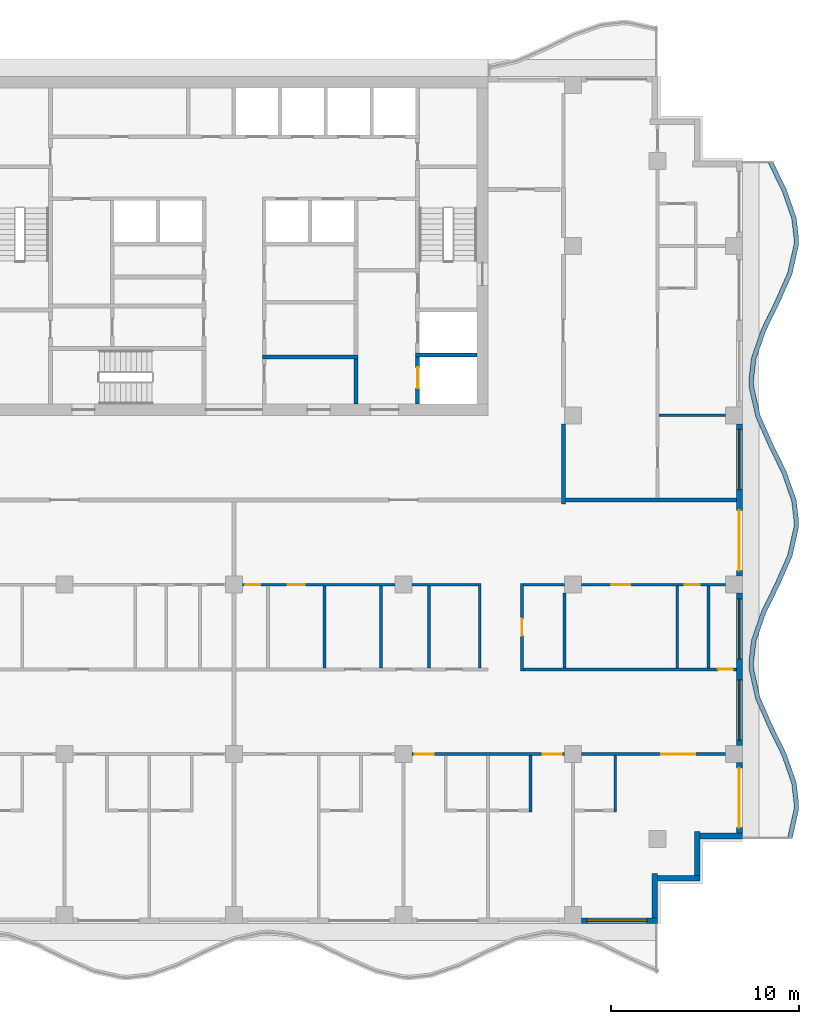
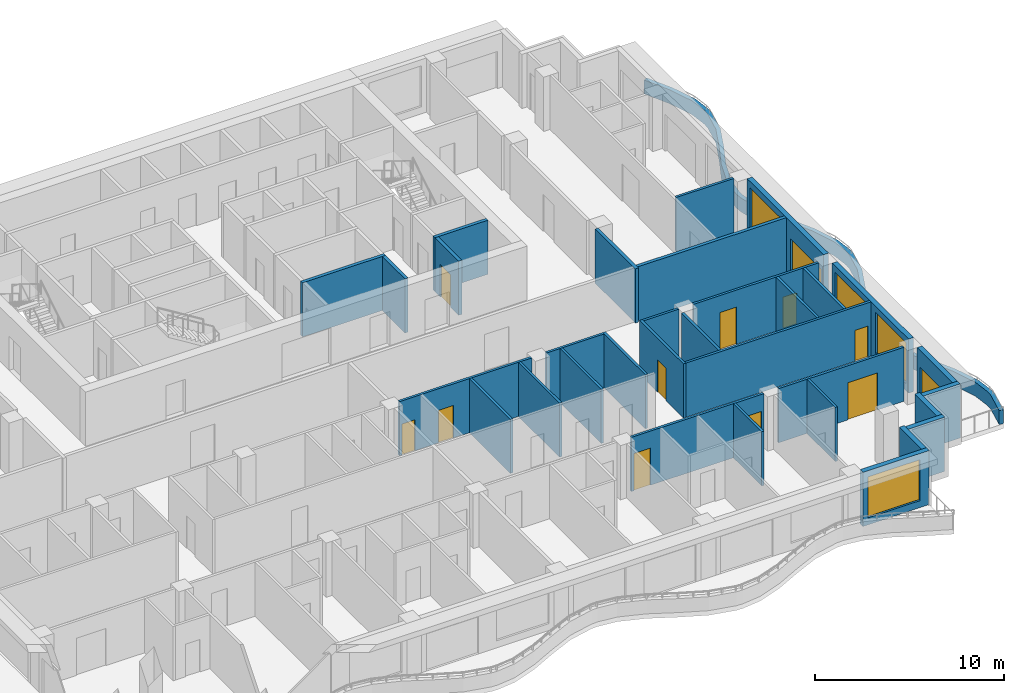
# One storey, part 4 of 11: 33 walls, 12 doors, 4 windows, 16 openings.
"""IFC4 building model written with IfcOpenShell, lengths in metres."""

from ifc_helpers import new_model, si_unit, direction, frame, frame_2d, origin, place, context, subcontext, project, spatial, polyline, rectangle, outline, extrude, material, layer, layer_set, type_object, element, fill, save


model = new_model("IFC4")

# Units and contexts
model_context = context("Model", 3, precision=1e-05, world=origin(), true_north=direction((0.0, 1.0)))
body_context = subcontext(model_context, "Body", "Model", "MODEL_VIEW")
ifc_project = project(units=[si_unit("LENGTHUNIT", "METRE"), si_unit("AREAUNIT", "SQUARE_METRE"), si_unit("VOLUMEUNIT", "CUBIC_METRE"), si_unit("PLANEANGLEUNIT", "RADIAN"), si_unit("MASSUNIT", "GRAM", prefix="KILO")], contexts=[model_context])

# Site, building, storey
site_placement = place(None, origin())
site = spatial("IfcSite", under=ifc_project, at=site_placement, CompositionType="ELEMENT")
building_placement = place(site_placement, origin())
building = spatial("IfcBuilding", under=site, at=building_placement, Name="Orbiselva Terraces", CompositionType="ELEMENT")
storey_placement = place(building_placement, frame((0.0, 0.0, 276.8)))
storey = spatial("IfcBuildingStorey", under=building, at=storey_placement, Name="L70", CompositionType="ELEMENT", Elevation=276.8)

# Walls
ifc_material_1 = material(Name="Concrete C60/75", Category="concrete")
ifc_layer_1 = layer(ifc_material_1, 0.2)
ifc_layer_set_1 = layer_set([ifc_layer_1], Name="Concrete C60/75")
wall_type_1 = type_object("IfcWallType", Name="CORE-WALL-SHEAR-200", PredefinedType="SHEAR", material=ifc_layer_set_1)
wall_1_placement = place(storey_placement, frame((1.5, 7.6, 0.0), z_axis=(0.0, 0.0, 1.0), x_axis=(1.0, 0.0, 0.0)))
element("IfcWall", 1, at=wall_1_placement, inside=storey, type_object=wall_type_1, Name="L70 core wall 28", PredefinedType="SHEAR", context=body_context, shape_type="SweptSolid", body=[
    extrude(rectangle(XDim=5.075, YDim=0.2, at=frame_2d((2.5375, 0.0))), origin(), (0.0, 0.0, 1.0), 3.5),
])
wall_2_placement = place(storey_placement, frame((6.475, 5.1, 0.0), z_axis=(0.0, 0.0, 1.0), x_axis=(0.0, 1.0, 0.0)))
element("IfcWall", 2, at=wall_2_placement, inside=storey, type_object=wall_type_1, Name="L70 core wall 38", PredefinedType="SHEAR", context=body_context, shape_type="SweptSolid", body=[
    extrude(rectangle(XDim=2.4, YDim=0.2, at=frame_2d((1.2, 0.0))), origin(), (0.0, 0.0, 1.0), 3.5),
])

# Wall, opening, door
wall_3_placement = place(storey_placement, frame((9.75, 5.1, 0.0), z_axis=(0.0, 0.0, 1.0), x_axis=(0.0, 1.0, 0.0)))
wall_3 = element("IfcWall", 3, at=wall_3_placement, inside=storey, type_object=wall_type_1, Name="L70 core wall 45", PredefinedType="SHEAR", context=body_context, shape_type="SweptSolid", body=[
    extrude(rectangle(XDim=2.5, YDim=0.2, at=frame_2d((1.25, 0.0))), origin(), (0.0, 0.0, 1.0), 3.5),
])
opening_1_placement = place(wall_3_placement, frame((0.85, 0.0, 0.0)))
opening_1 = element("IfcOpeningElement", 4, at=opening_1_placement, cuts=wall_3, Name="Opening LD-FF1", PredefinedType="OPENING", context=body_context, shape_type="SweptSolid", body=[
    extrude(rectangle(XDim=1.1, YDim=2.1, at=frame_2d((0.55, 1.05))), frame((0.0, 0.11, 0.0), z_axis=(0.0, -1.0, 0.0), x_axis=(1.0, 0.0, 0.0)), (0.0, 0.0, 1.0), 0.22),
])
ifc_material_2 = material(Name="Stainless steel landing door", Category="steel")
door_type_1 = type_object("IfcDoorType", Name="LANDING DOOR 1100", OperationType="SLIDING_TO_LEFT", PredefinedType="DOOR", material=ifc_material_2)
door_1_placement = place(opening_1_placement, origin())
door_1 = element("IfcDoor", 5, at=door_1_placement, inside=storey, type_object=door_type_1, Name="L70 landing door FF1", OperationType="SLIDING_TO_RIGHT", OverallHeight=2.1, OverallWidth=1.1, PredefinedType="DOOR", context=body_context, shape_type="SweptSolid", body=[
    extrude(rectangle(XDim=1.1, YDim=2.1, at=frame_2d((0.55, 1.05))), frame((0.0, 0.025, 0.0), z_axis=(0.0, -1.0, 0.0), x_axis=(1.0, 0.0, 0.0)), (0.0, 0.0, 1.0), 0.05),
])
fill(opening_1, door_1)

# Walls
wall_4_placement = place(storey_placement, frame((9.65, 7.7, 0.0), z_axis=(0.0, 0.0, 1.0), x_axis=(1.0, 0.0, 0.0)))
element("IfcWall", 6, at=wall_4_placement, inside=storey, type_object=wall_type_1, Name="L70 core wall 46", PredefinedType="SHEAR", context=body_context, shape_type="SweptSolid", body=[
    extrude(rectangle(XDim=3.25, YDim=0.2, at=frame_2d((1.625, 0.0))), origin(), (0.0, 0.0, 1.0), 3.5),
])
ifc_material_3 = material(Name="Concrete C40/50", Category="concrete")
ifc_layer_2 = layer(ifc_material_3, 0.25)
ifc_layer_set_2 = layer_set([ifc_layer_2], Name="Concrete C40/50")
wall_type_2 = type_object("IfcWallType", Name="ENV-PLANTER-250x900", PredefinedType="USERDEFINED", material=ifc_layer_set_2)
wall_5_placement = place(storey_placement, origin())
element("IfcWall", 7, at=wall_5_placement, inside=storey, type_object=wall_type_2, Name="Balcony planter L70 E", ObjectType="PLANTER", PredefinedType="USERDEFINED", context=body_context, shape_type="SweptSolid", body=[
    extrude(outline(polyline([(29.648528, -18.0), (29.985226, -16.5), (30.0, -16.125), (29.869208, -15.0), (29.344789, -13.5), (28.612279, -12.0), (27.951472, -10.5), (27.614774, -9.0), (27.6, -8.625), (27.730792, -7.5), (28.255211, -6.0), (28.987721, -4.5), (29.648528, -3.0), (29.985226, -1.5), (30.0, -1.125), (29.869208, 0.0), (29.344789, 1.5), (28.612279, 3.0), (27.951472, 4.5), (27.614774, 6.0), (27.6, 6.375), (27.730792, 7.5), (28.255211, 9.0), (28.987721, 10.5), (29.648528, 12.0), (29.985226, 13.5), (30.0, 13.875), (29.869208, 15.0), (29.344789, 16.5), (28.612279, 18.0), (28.387634, 17.890297), (29.113667, 16.40356), (29.624078, 14.943629), (29.749429, 13.865428), (29.736315, 13.532565), (29.40993, 12.078508), (28.760919, 10.605286), (28.024089, 9.09644), (27.485662, 7.556371), (27.349429, 6.384572), (27.365863, 5.967435), (27.712874, 4.421492), (28.385477, 2.894714), (29.113667, 1.40356), (29.624078, -0.056371), (29.749429, -1.134572), (29.736315, -1.467435), (29.40993, -2.921492), (28.760919, -4.394714), (28.024089, -5.90356), (27.485662, -7.443629), (27.349429, -8.615428), (27.365863, -9.032565), (27.712874, -10.578508), (28.385477, -12.105286), (29.113667, -13.59644), (29.624078, -15.056371), (29.749429, -16.134572), (29.736315, -16.467435), (29.404598, -17.945246), (29.648528, -18.0)])), origin(), (0.0, 0.0, 1.0), 0.9),
])

# Wall, opening, window
ifc_material_4 = material(Name="Terracotta cladding on masonry backing", Category="masonry")
ifc_layer_3 = layer(ifc_material_4, 0.3)
ifc_layer_set_3 = layer_set([ifc_layer_3], Name="Terracotta cladding on masonry backing")
wall_type_3 = type_object("IfcWallType", Name="ENV-WALL-TERRACOTTA-300", PredefinedType="SOLIDWALL", material=ifc_layer_set_3)
wall_6_placement = place(storey_placement, frame((22.5, -22.35, 0.0), z_axis=(0.0, 0.0, 1.0), x_axis=(-1.0, 0.0, 0.0)))
wall_6 = element("IfcWall", 8, at=wall_6_placement, inside=storey, type_object=wall_type_3, Name="Facade wall L70 S", PredefinedType="SOLIDWALL", context=body_context, shape_type="SweptSolid", body=[
    extrude(rectangle(XDim=4.05, YDim=0.3, at=frame_2d((2.025, 0.0))), origin(), (0.0, 0.0, 1.0), 3.5),
])
opening_2_placement = place(wall_6_placement, frame((0.55, 0.0, 0.45)))
opening_2 = element("IfcOpeningElement", 9, at=opening_2_placement, cuts=wall_6, Name="Opening WN17", PredefinedType="OPENING", context=body_context, shape_type="SweptSolid", body=[
    extrude(rectangle(XDim=3.2, YDim=2.65, at=frame_2d((1.6, 1.325))), frame((0.0, 0.16, 0.0), z_axis=(0.0, -1.0, 0.0), x_axis=(1.0, 0.0, 0.0)), (0.0, 0.0, 1.0), 0.32),
])
ifc_material_5 = material(Name="Clear low-e glazing in aluminium frame", Category="aluminium")
window_type = type_object("IfcWindowType", Name="WINDOW 3200 X 2650 S450", PartitioningType="TRIPLE_PANEL_VERTICAL", PredefinedType="WINDOW", material=ifc_material_5)
window_1_placement = place(opening_2_placement, origin())
window_1 = element("IfcWindow", 10, at=window_1_placement, inside=storey, type_object=window_type, Name="Window L70 S", OverallHeight=2.65, OverallWidth=3.2, PartitioningType="SINGLE_PANEL", PredefinedType="WINDOW", context=body_context, shape_type="SweptSolid", body=[
    extrude(rectangle(XDim=3.2, YDim=2.65, at=frame_2d((1.6, 1.325))), frame((0.0, 0.03, 0.0), z_axis=(0.0, -1.0, 0.0), x_axis=(1.0, 0.0, 0.0)), (0.0, 0.0, 1.0), 0.06),
])
fill(opening_2, window_1)

# Walls
wall_7_placement = place(storey_placement, frame((22.35, -19.85, 0.0), z_axis=(0.0, 0.0, 1.0), x_axis=(0.0, -1.0, 0.0)))
element("IfcWall", 11, at=wall_7_placement, inside=storey, type_object=wall_type_3, Name="Facade wall L70 STEP", PredefinedType="SOLIDWALL", context=body_context, shape_type="SweptSolid", body=[
    extrude(rectangle(XDim=2.35, YDim=0.3, at=frame_2d((1.175, 0.0))), origin(), (0.0, 0.0, 1.0), 3.5),
])
wall_8_placement = place(storey_placement, frame((24.75, -20.1, 0.0), z_axis=(0.0, 0.0, 1.0), x_axis=(-1.0, 0.0, 0.0)))
element("IfcWall", 12, at=wall_8_placement, inside=storey, type_object=wall_type_3, Name="Facade wall L70 STEP", PredefinedType="SOLIDWALL", context=body_context, shape_type="SweptSolid", body=[
    extrude(rectangle(XDim=2.25, YDim=0.3, at=frame_2d((1.125, 0.0))), origin(), (0.0, 0.0, 1.0), 3.5),
])
wall_9_placement = place(storey_placement, frame((24.6, -17.6, 0.0), z_axis=(0.0, 0.0, 1.0), x_axis=(0.0, -1.0, 0.0)))
element("IfcWall", 13, at=wall_9_placement, inside=storey, type_object=wall_type_3, Name="Facade wall L70 STEP", PredefinedType="SOLIDWALL", context=body_context, shape_type="SweptSolid", body=[
    extrude(rectangle(XDim=2.35, YDim=0.3, at=frame_2d((1.175, 0.0))), origin(), (0.0, 0.0, 1.0), 3.5),
])
wall_10_placement = place(storey_placement, frame((27.0, -17.85, 0.0), z_axis=(0.0, 0.0, 1.0), x_axis=(-1.0, 0.0, 0.0)))
element("IfcWall", 14, at=wall_10_placement, inside=storey, type_object=wall_type_3, Name="Facade wall L70 STEP", PredefinedType="SOLIDWALL", context=body_context, shape_type="SweptSolid", body=[
    extrude(rectangle(XDim=2.25, YDim=0.3, at=frame_2d((1.125, 0.0))), origin(), (0.0, 0.0, 1.0), 3.5),
])

# Wall, opening, door
wall_11_placement = place(storey_placement, frame((26.85, -13.95, 0.0), z_axis=(0.0, 0.0, 1.0), x_axis=(0.0, -1.0, 0.0)))
wall_11 = element("IfcWall", 15, at=wall_11_placement, inside=storey, type_object=wall_type_3, Name="Facade wall L70 E", PredefinedType="SOLIDWALL", context=body_context, shape_type="SweptSolid", body=[
    extrude(rectangle(XDim=3.75, YDim=0.3, at=frame_2d((1.875, 0.0))), origin(), (0.0, 0.0, 1.0), 3.5),
])
opening_3_placement = place(wall_11_placement, frame((0.3, 0.0, 0.0)))
opening_3 = element("IfcOpeningElement", 16, at=opening_3_placement, cuts=wall_11, Name="Opening Z5-D-E04", PredefinedType="OPENING", context=body_context, shape_type="SweptSolid", body=[
    extrude(rectangle(XDim=3.15, YDim=2.4, at=frame_2d((1.575, 1.2))), frame((0.0, 0.16, 0.0), z_axis=(0.0, -1.0, 0.0), x_axis=(1.0, 0.0, 0.0)), (0.0, 0.0, 1.0), 0.32),
])
door_type_2 = type_object("IfcDoorType", Name="BALCONY DOOR 3150 X 2400", OperationType="DOUBLE_DOOR_SLIDING", PredefinedType="DOOR", material=ifc_material_5)
door_2_placement = place(opening_3_placement, origin())
door_2 = element("IfcDoor", 17, at=door_2_placement, inside=storey, type_object=door_type_2, Name="Z5-D-E04", OperationType="SINGLE_SWING_LEFT", OverallHeight=2.4, OverallWidth=3.15, PredefinedType="DOOR", context=body_context, shape_type="SweptSolid", body=[
    extrude(rectangle(XDim=3.15, YDim=2.4, at=frame_2d((1.575, 1.2))), frame((0.0, 0.025, 0.0), z_axis=(0.0, -1.0, 0.0), x_axis=(1.0, 0.0, 0.0)), (0.0, 0.0, 1.0), 0.05),
])
fill(opening_3, door_2)

# Wall, openings, windows
wall_12_placement = place(storey_placement, frame((26.85, -4.95, 0.0), z_axis=(0.0, 0.0, 1.0), x_axis=(0.0, -1.0, 0.0)))
wall_12 = element("IfcWall", 18, at=wall_12_placement, inside=storey, type_object=wall_type_3, Name="Facade wall L70 E", PredefinedType="SOLIDWALL", context=body_context, shape_type="SweptSolid", body=[
    extrude(rectangle(XDim=8.1, YDim=0.3, at=frame_2d((4.05, 0.0))), origin(), (0.0, 0.0, 1.0), 3.5),
])
opening_4_placement = place(wall_12_placement, frame((4.6, 0.0, 0.45)))
opening_4 = element("IfcOpeningElement", 19, at=opening_4_placement, cuts=wall_12, Name="Opening WN17", PredefinedType="OPENING", context=body_context, shape_type="SweptSolid", body=[
    extrude(rectangle(XDim=3.2, YDim=2.65, at=frame_2d((1.6, 1.325))), frame((0.0, 0.16, 0.0), z_axis=(0.0, -1.0, 0.0), x_axis=(1.0, 0.0, 0.0)), (0.0, 0.0, 1.0), 0.32),
])
opening_5_placement = place(wall_12_placement, frame((0.3, 0.0, 0.45)))
opening_5 = element("IfcOpeningElement", 20, at=opening_5_placement, cuts=wall_12, Name="Opening WN17", PredefinedType="OPENING", context=body_context, shape_type="SweptSolid", body=[
    extrude(rectangle(XDim=3.2, YDim=2.65, at=frame_2d((1.6, 1.325))), frame((0.0, 0.16, 0.0), z_axis=(0.0, -1.0, 0.0), x_axis=(1.0, 0.0, 0.0)), (0.0, 0.0, 1.0), 0.32),
])
window_2_placement = place(opening_4_placement, origin())
window_2 = element("IfcWindow", 21, at=window_2_placement, inside=storey, type_object=window_type, Name="Window L70 E", OverallHeight=2.65, OverallWidth=3.2, PartitioningType="SINGLE_PANEL", PredefinedType="WINDOW", context=body_context, shape_type="SweptSolid", body=[
    extrude(rectangle(XDim=3.2, YDim=2.65, at=frame_2d((1.6, 1.325))), frame((0.0, 0.03, 0.0), z_axis=(0.0, -1.0, 0.0), x_axis=(1.0, 0.0, 0.0)), (0.0, 0.0, 1.0), 0.06),
])
fill(opening_4, window_2)
window_3_placement = place(opening_5_placement, origin())
window_3 = element("IfcWindow", 22, at=window_3_placement, inside=storey, type_object=window_type, Name="Window L70 E", OverallHeight=2.65, OverallWidth=3.2, PartitioningType="SINGLE_PANEL", PredefinedType="WINDOW", context=body_context, shape_type="SweptSolid", body=[
    extrude(rectangle(XDim=3.2, YDim=2.65, at=frame_2d((1.6, 1.325))), frame((0.0, 0.03, 0.0), z_axis=(0.0, -1.0, 0.0), x_axis=(1.0, 0.0, 0.0)), (0.0, 0.0, 1.0), 0.06),
])
fill(opening_5, window_3)

# Wall, openings, door, window
wall_13_placement = place(storey_placement, frame((26.85, 4.05, 0.0), z_axis=(0.0, 0.0, 1.0), x_axis=(0.0, -1.0, 0.0)))
wall_13 = element("IfcWall", 23, at=wall_13_placement, inside=storey, type_object=wall_type_3, Name="Facade wall L70 E", PredefinedType="SOLIDWALL", context=body_context, shape_type="SweptSolid", body=[
    extrude(rectangle(XDim=8.1, YDim=0.3, at=frame_2d((4.05, 0.0))), origin(), (0.0, 0.0, 1.0), 3.5),
])
opening_6_placement = place(wall_13_placement, frame((4.6, 0.0, 0.0)))
opening_6 = element("IfcOpeningElement", 24, at=opening_6_placement, cuts=wall_13, Name="Opening Z5-D-E14", PredefinedType="OPENING", context=body_context, shape_type="SweptSolid", body=[
    extrude(rectangle(XDim=3.2, YDim=2.4, at=frame_2d((1.6, 1.2))), frame((0.0, 0.16, 0.0), z_axis=(0.0, -1.0, 0.0), x_axis=(1.0, 0.0, 0.0)), (0.0, 0.0, 1.0), 0.32),
])
opening_7_placement = place(wall_13_placement, frame((0.3, 0.0, 0.45)))
opening_7 = element("IfcOpeningElement", 25, at=opening_7_placement, cuts=wall_13, Name="Opening WN17", PredefinedType="OPENING", context=body_context, shape_type="SweptSolid", body=[
    extrude(rectangle(XDim=3.2, YDim=2.65, at=frame_2d((1.6, 1.325))), frame((0.0, 0.16, 0.0), z_axis=(0.0, -1.0, 0.0), x_axis=(1.0, 0.0, 0.0)), (0.0, 0.0, 1.0), 0.32),
])
door_type_3 = type_object("IfcDoorType", Name="BALCONY DOOR 3200 X 2400", OperationType="DOUBLE_DOOR_SLIDING", PredefinedType="DOOR", material=ifc_material_5)
door_3_placement = place(opening_6_placement, origin())
door_3 = element("IfcDoor", 26, at=door_3_placement, inside=storey, type_object=door_type_3, Name="Z5-D-E14", OperationType="SINGLE_SWING_LEFT", OverallHeight=2.4, OverallWidth=3.2, PredefinedType="DOOR", context=body_context, shape_type="SweptSolid", body=[
    extrude(rectangle(XDim=3.2, YDim=2.4, at=frame_2d((1.6, 1.2))), frame((0.0, 0.025, 0.0), z_axis=(0.0, -1.0, 0.0), x_axis=(1.0, 0.0, 0.0)), (0.0, 0.0, 1.0), 0.05),
])
fill(opening_6, door_3)
window_4_placement = place(opening_7_placement, origin())
window_4 = element("IfcWindow", 27, at=window_4_placement, inside=storey, type_object=window_type, Name="Window L70 E", OverallHeight=2.65, OverallWidth=3.2, PartitioningType="SINGLE_PANEL", PredefinedType="WINDOW", context=body_context, shape_type="SweptSolid", body=[
    extrude(rectangle(XDim=3.2, YDim=2.65, at=frame_2d((1.6, 1.325))), frame((0.0, 0.03, 0.0), z_axis=(0.0, -1.0, 0.0), x_axis=(1.0, 0.0, 0.0)), (0.0, 0.0, 1.0), 0.06),
])
fill(opening_7, window_4)

# Wall
ifc_material_6 = material(Name="Plasterboard on steel stud partition", Category="steel")
ifc_layer_4 = layer(ifc_material_6, 0.2)
ifc_layer_set_4 = layer_set([ifc_layer_4], Name="Plasterboard on steel stud partition")
wall_type_4 = type_object("IfcWallType", Name="UNIT-ENTRANCE-WALL-200", PredefinedType="PARTITIONING", material=ifc_layer_set_4)
wall_14_placement = place(storey_placement, frame((17.5, -0.2, 0.0), z_axis=(0.0, 0.0, 1.0), x_axis=(0.0, 1.0, 0.0)))
element("IfcWall", 28, at=wall_14_placement, inside=storey, type_object=wall_type_4, Name="PARTITION L70-081", PredefinedType="PARTITIONING", context=body_context, shape_type="SweptSolid", body=[
    extrude(rectangle(XDim=4.25, YDim=0.2, at=frame_2d((2.125, 0.0))), origin(), (0.0, 0.0, 1.0), 3.5),
])

# Wall, openings, doors
ifc_layer_5 = layer(ifc_material_6, 0.15)
ifc_layer_set_5 = layer_set([ifc_layer_5], Name="Plasterboard on steel stud partition")
wall_type_5 = type_object("IfcWallType", Name="UNIT-PARTITION-150", PredefinedType="PARTITIONING", material=ifc_layer_set_5)
wall_15_placement = place(storey_placement, frame((17.55, -13.5, 0.0), z_axis=(0.0, 0.0, 1.0), x_axis=(-1.0, 0.0, 0.0)))
wall_15 = element("IfcWall", 29, at=wall_15_placement, inside=storey, type_object=wall_type_5, Name="PARTITION L70-013", PredefinedType="PARTITIONING", context=body_context, shape_type="SweptSolid", body=[
    extrude(rectangle(XDim=8.1, YDim=0.15, at=frame_2d((4.05, 0.0))), origin(), (0.0, 0.0, 1.0), 3.5),
])
opening_8_placement = place(wall_15_placement, frame((0.15, 0.0, 0.0)))
opening_8 = element("IfcOpeningElement", 30, at=opening_8_placement, cuts=wall_15, Name="Opening Z5-D-46", PredefinedType="OPENING", context=body_context, shape_type="SweptSolid", body=[
    extrude(rectangle(XDim=1.0, YDim=2.4, at=frame_2d((0.5, 1.2))), frame((0.0, 0.085, 0.0), z_axis=(0.0, -1.0, 0.0), x_axis=(1.0, 0.0, 0.0)), (0.0, 0.0, 1.0), 0.17),
])
opening_9_placement = place(wall_15_placement, frame((6.95, 0.0, 0.0)))
opening_9 = element("IfcOpeningElement", 31, at=opening_9_placement, cuts=wall_15, Name="Opening Z5-D-48", PredefinedType="OPENING", context=body_context, shape_type="SweptSolid", body=[
    extrude(rectangle(XDim=1.0, YDim=2.4, at=frame_2d((0.5, 1.2))), frame((0.0, 0.085, 0.0), z_axis=(0.0, -1.0, 0.0), x_axis=(1.0, 0.0, 0.0)), (0.0, 0.0, 1.0), 0.17),
])
ifc_material_7 = material(Name="Painted timber door leaf", Category="wood")
door_type_4 = type_object("IfcDoorType", Name="ROOM DOOR 1000", OperationType="NOTDEFINED", PredefinedType="DOOR", material=ifc_material_7)
door_4_placement = place(opening_8_placement, origin())
door_4 = element("IfcDoor", 32, at=door_4_placement, inside=storey, type_object=door_type_4, Name="Z5-D-46", OperationType="SINGLE_SWING_LEFT", OverallHeight=2.4, OverallWidth=1.0, PredefinedType="DOOR", context=body_context, shape_type="SweptSolid", body=[
    extrude(rectangle(XDim=1.0, YDim=2.4, at=frame_2d((0.5, 1.2))), frame((0.0, 0.025, 0.0), z_axis=(0.0, -1.0, 0.0), x_axis=(1.0, 0.0, 0.0)), (0.0, 0.0, 1.0), 0.05),
])
fill(opening_8, door_4)
door_5_placement = place(opening_9_placement, origin())
door_5 = element("IfcDoor", 33, at=door_5_placement, inside=storey, type_object=door_type_4, Name="Z5-D-48", OperationType="SINGLE_SWING_RIGHT", OverallHeight=2.4, OverallWidth=1.0, PredefinedType="DOOR", context=body_context, shape_type="SweptSolid", body=[
    extrude(rectangle(XDim=1.0, YDim=2.4, at=frame_2d((0.5, 1.2))), frame((0.0, 0.025, 0.0), z_axis=(0.0, -1.0, 0.0), x_axis=(1.0, 0.0, 0.0)), (0.0, 0.0, 1.0), 0.05),
])
fill(opening_9, door_5)

# Wall, opening, door
wall_16_placement = place(storey_placement, frame((26.1, -13.5, 0.0), z_axis=(0.0, 0.0, 1.0), x_axis=(-1.0, 0.0, 0.0)))
wall_16 = element("IfcWall", 34, at=wall_16_placement, inside=storey, type_object=wall_type_5, Name="PARTITION L70-014", PredefinedType="PARTITIONING", context=body_context, shape_type="SweptSolid", body=[
    extrude(rectangle(XDim=7.65, YDim=0.15, at=frame_2d((3.825, 0.0))), origin(), (0.0, 0.0, 1.0), 3.5),
])
opening_10_placement = place(wall_16_placement, frame((1.6, 0.0, 0.0)))
opening_10 = element("IfcOpeningElement", 35, at=opening_10_placement, cuts=wall_16, Name="Opening Z5-D-44", PredefinedType="OPENING", context=body_context, shape_type="SweptSolid", body=[
    extrude(rectangle(XDim=1.8, YDim=2.4, at=frame_2d((0.9, 1.2))), frame((0.0, 0.085, 0.0), z_axis=(0.0, -1.0, 0.0), x_axis=(1.0, 0.0, 0.0)), (0.0, 0.0, 1.0), 0.17),
])
door_type_5 = type_object("IfcDoorType", Name="DOUBLE DOOR 1800", OperationType="NOTDEFINED", PredefinedType="DOOR", material=ifc_material_7)
door_6_placement = place(opening_10_placement, origin())
door_6 = element("IfcDoor", 36, at=door_6_placement, inside=storey, type_object=door_type_5, Name="Z5-D-44", OperationType="DOUBLE_DOOR_SINGLE_SWING", OverallHeight=2.4, OverallWidth=1.8, PredefinedType="DOOR", context=body_context, shape_type="SweptSolid", body=[
    extrude(rectangle(XDim=1.8, YDim=2.4, at=frame_2d((0.9, 1.2))), frame((0.0, 0.025, 0.0), z_axis=(0.0, -1.0, 0.0), x_axis=(1.0, 0.0, 0.0)), (0.0, 0.0, 1.0), 0.05),
])
fill(opening_10, door_6)

wall_17_placement = place(storey_placement, frame((15.375, -9.0, 0.0), z_axis=(0.0, 0.0, 1.0), x_axis=(1.0, 0.0, 0.0)))
wall_17 = element("IfcWall", 37, at=wall_17_placement, inside=storey, type_object=wall_type_5, Name="PARTITION L70-018", PredefinedType="PARTITIONING", context=body_context, shape_type="SweptSolid", body=[
    extrude(rectangle(XDim=11.325, YDim=0.15, at=frame_2d((5.6625, 0.0))), origin(), (0.0, 0.0, 1.0), 3.5),
])
opening_11_placement = place(wall_17_placement, frame((10.325, 0.0, 0.0)))
opening_11 = element("IfcOpeningElement", 38, at=opening_11_placement, cuts=wall_17, Name="Opening Z5-D-35", PredefinedType="OPENING", context=body_context, shape_type="SweptSolid", body=[
    extrude(rectangle(XDim=0.8, YDim=2.0, at=frame_2d((0.4, 1.0))), frame((0.0, 0.085, 0.0), z_axis=(0.0, -1.0, 0.0), x_axis=(1.0, 0.0, 0.0)), (0.0, 0.0, 1.0), 0.17),
])
door_type_6 = type_object("IfcDoorType", Name="STORE DOOR 800", OperationType="NOTDEFINED", PredefinedType="DOOR", material=ifc_material_7)
door_7_placement = place(opening_11_placement, origin())
door_7 = element("IfcDoor", 39, at=door_7_placement, inside=storey, type_object=door_type_6, Name="Z5-D-35", OperationType="SINGLE_SWING_RIGHT", OverallHeight=2.0, OverallWidth=0.8, PredefinedType="DOOR", context=body_context, shape_type="SweptSolid", body=[
    extrude(rectangle(XDim=0.8, YDim=2.0, at=frame_2d((0.4, 1.0))), frame((0.0, 0.025, 0.0), z_axis=(0.0, -1.0, 0.0), x_axis=(1.0, 0.0, 0.0)), (0.0, 0.0, 1.0), 0.05),
])
fill(opening_11, door_7)

# Wall, openings, doors
wall_18_placement = place(storey_placement, frame((8.55, -4.5, 0.0), z_axis=(0.0, 0.0, 1.0), x_axis=(-1.0, 0.0, 0.0)))
wall_18 = element("IfcWall", 40, at=wall_18_placement, inside=storey, type_object=wall_type_5, Name="PARTITION L70-023", PredefinedType="PARTITIONING", context=body_context, shape_type="SweptSolid", body=[
    extrude(rectangle(XDim=8.1, YDim=0.15, at=frame_2d((4.05, 0.0))), origin(), (0.0, 0.0, 1.0), 3.5),
])
opening_12_placement = place(wall_18_placement, frame((4.8, 0.0, 0.0)))
opening_12 = element("IfcOpeningElement", 41, at=opening_12_placement, cuts=wall_18, Name="Opening Z5-D-42", PredefinedType="OPENING", context=body_context, shape_type="SweptSolid", body=[
    extrude(rectangle(XDim=0.9, YDim=2.1, at=frame_2d((0.45, 1.05))), frame((0.0, 0.085, 0.0), z_axis=(0.0, -1.0, 0.0), x_axis=(1.0, 0.0, 0.0)), (0.0, 0.0, 1.0), 0.17),
])
opening_13_placement = place(wall_18_placement, frame((7.15, 0.0, 0.0)))
opening_13 = element("IfcOpeningElement", 42, at=opening_13_placement, cuts=wall_18, Name="Opening Z5-D-43", PredefinedType="OPENING", context=body_context, shape_type="SweptSolid", body=[
    extrude(rectangle(XDim=0.8, YDim=2.0, at=frame_2d((0.4, 1.0))), frame((0.0, 0.085, 0.0), z_axis=(0.0, -1.0, 0.0), x_axis=(1.0, 0.0, 0.0)), (0.0, 0.0, 1.0), 0.17),
])
door_type_7 = type_object("IfcDoorType", Name="SERVICE DOOR 900", OperationType="NOTDEFINED", PredefinedType="DOOR", material=ifc_material_7)
door_8_placement = place(opening_12_placement, origin())
door_8 = element("IfcDoor", 43, at=door_8_placement, inside=storey, type_object=door_type_7, Name="Z5-D-42", OperationType="SINGLE_SWING_RIGHT", OverallHeight=2.1, OverallWidth=0.9, PredefinedType="DOOR", context=body_context, shape_type="SweptSolid", body=[
    extrude(rectangle(XDim=0.9, YDim=2.1, at=frame_2d((0.45, 1.05))), frame((0.0, 0.025, 0.0), z_axis=(0.0, -1.0, 0.0), x_axis=(1.0, 0.0, 0.0)), (0.0, 0.0, 1.0), 0.05),
])
fill(opening_12, door_8)
door_9_placement = place(opening_13_placement, origin())
door_9 = element("IfcDoor", 44, at=door_9_placement, inside=storey, type_object=door_type_6, Name="Z5-D-43", OperationType="SINGLE_SWING_RIGHT", OverallHeight=2.0, OverallWidth=0.8, PredefinedType="DOOR", context=body_context, shape_type="SweptSolid", body=[
    extrude(rectangle(XDim=0.8, YDim=2.0, at=frame_2d((0.4, 1.0))), frame((0.0, 0.025, 0.0), z_axis=(0.0, -1.0, 0.0), x_axis=(1.0, 0.0, 0.0)), (0.0, 0.0, 1.0), 0.05),
])
fill(opening_13, door_9)

# Walls
wall_19_placement = place(storey_placement, frame((9.45, -4.5, 0.0), z_axis=(0.0, 0.0, 1.0), x_axis=(1.0, 0.0, 0.0)))
element("IfcWall", 45, at=wall_19_placement, inside=storey, type_object=wall_type_5, Name="PARTITION L70-024", PredefinedType="PARTITIONING", context=body_context, shape_type="SweptSolid", body=[
    extrude(rectangle(XDim=3.525, YDim=0.15, at=frame_2d((1.7625, 0.0))), origin(), (0.0, 0.0, 1.0), 3.5),
])
wall_20_placement = place(storey_placement, frame((15.375, -4.5, 0.0), z_axis=(0.0, 0.0, 1.0), x_axis=(1.0, 0.0, 0.0)))
element("IfcWall", 46, at=wall_20_placement, inside=storey, type_object=wall_type_5, Name="PARTITION L70-025", PredefinedType="PARTITIONING", context=body_context, shape_type="SweptSolid", body=[
    extrude(rectangle(XDim=2.175, YDim=0.15, at=frame_2d((1.0875, 0.0))), origin(), (0.0, 0.0, 1.0), 3.5),
])

# Wall, openings, doors
wall_21_placement = place(storey_placement, frame((26.1, -4.5, 0.0), z_axis=(0.0, 0.0, 1.0), x_axis=(-1.0, 0.0, 0.0)))
wall_21 = element("IfcWall", 47, at=wall_21_placement, inside=storey, type_object=wall_type_5, Name="PARTITION L70-026", PredefinedType="PARTITIONING", context=body_context, shape_type="SweptSolid", body=[
    extrude(rectangle(XDim=7.65, YDim=0.15, at=frame_2d((3.825, 0.0))), origin(), (0.0, 0.0, 1.0), 3.5),
])
opening_14_placement = place(wall_21_placement, frame((1.35, 0.0, 0.0)))
opening_14 = element("IfcOpeningElement", 48, at=opening_14_placement, cuts=wall_21, Name="Opening Z5-D-36", PredefinedType="OPENING", context=body_context, shape_type="SweptSolid", body=[
    extrude(rectangle(XDim=0.8, YDim=2.0, at=frame_2d((0.4, 1.0))), frame((0.0, 0.085, 0.0), z_axis=(0.0, -1.0, 0.0), x_axis=(1.0, 0.0, 0.0)), (0.0, 0.0, 1.0), 0.17),
])
opening_15_placement = place(wall_21_placement, frame((5.05, 0.0, 0.0)))
opening_15 = element("IfcOpeningElement", 49, at=opening_15_placement, cuts=wall_21, Name="Opening Z5-D-37", PredefinedType="OPENING", context=body_context, shape_type="SweptSolid", body=[
    extrude(rectangle(XDim=1.0, YDim=2.4, at=frame_2d((0.5, 1.2))), frame((0.0, 0.085, 0.0), z_axis=(0.0, -1.0, 0.0), x_axis=(1.0, 0.0, 0.0)), (0.0, 0.0, 1.0), 0.17),
])
door_10_placement = place(opening_15_placement, origin())
door_10 = element("IfcDoor", 50, at=door_10_placement, inside=storey, type_object=door_type_4, Name="Z5-D-37", OperationType="SINGLE_SWING_RIGHT", OverallHeight=2.4, OverallWidth=1.0, PredefinedType="DOOR", context=body_context, shape_type="SweptSolid", body=[
    extrude(rectangle(XDim=1.0, YDim=2.4, at=frame_2d((0.5, 1.2))), frame((0.0, 0.025, 0.0), z_axis=(0.0, -1.0, 0.0), x_axis=(1.0, 0.0, 0.0)), (0.0, 0.0, 1.0), 0.05),
])
fill(opening_15, door_10)
door_11_placement = place(opening_14_placement, origin())
door_11 = element("IfcDoor", 51, at=door_11_placement, inside=storey, type_object=door_type_6, Name="Z5-D-36", OperationType="SINGLE_SWING_LEFT", OverallHeight=2.0, OverallWidth=0.8, PredefinedType="DOOR", context=body_context, shape_type="SweptSolid", body=[
    extrude(rectangle(XDim=0.8, YDim=2.0, at=frame_2d((0.4, 1.0))), frame((0.0, 0.025, 0.0), z_axis=(0.0, -1.0, 0.0), x_axis=(1.0, 0.0, 0.0)), (0.0, 0.0, 1.0), 0.05),
])
fill(opening_14, door_11)

# Walls
wall_22_placement = place(storey_placement, frame((22.575, 4.5, 0.0), z_axis=(0.0, 0.0, 1.0), x_axis=(1.0, 0.0, 0.0)))
element("IfcWall", 52, at=wall_22_placement, inside=storey, type_object=wall_type_5, Name="PARTITION L70-031", PredefinedType="PARTITIONING", context=body_context, shape_type="SweptSolid", body=[
    extrude(rectangle(XDim=3.525, YDim=0.15, at=frame_2d((1.7625, 0.0))), origin(), (0.0, 0.0, 1.0), 3.5),
])
for number, where, z_axis, x_axis, name in (
    (53, (4.8, -8.925, 0.0), (0.0, 0.0, 1.0), (0.0, 1.0, 0.0), "PARTITION L70-071"),
    (54, (7.8, -8.925, 0.0), (0.0, 0.0, 1.0), (0.0, 1.0, 0.0), "PARTITION L70-073"),
    (55, (10.35, -8.925, 0.0), (0.0, 0.0, 1.0), (0.0, 1.0, 0.0), "PARTITION L70-075"),
):
    element("IfcWall", number, at=place(storey_placement, frame(where, z_axis=z_axis, x_axis=x_axis)), inside=storey, type_object=wall_type_5, Name=name, PredefinedType="PARTITIONING", context=body_context, shape_type="SweptSolid", body=[
        extrude(rectangle(XDim=4.35, YDim=0.15, at=frame_2d((2.175, 0.0))), origin(), (0.0, 0.0, 1.0), 3.5),
    ])
wall_23_placement = place(storey_placement, frame((13.05, -8.925, 0.0), z_axis=(0.0, 0.0, 1.0), x_axis=(0.0, 1.0, 0.0)))
element("IfcWall", 56, at=wall_23_placement, inside=storey, type_object=wall_type_5, Name="PARTITION L70-077", PredefinedType="PARTITIONING", context=body_context, shape_type="SweptSolid", body=[
    extrude(rectangle(XDim=4.5, YDim=0.15, at=frame_2d((2.25, 0.0))), origin(), (0.0, 0.0, 1.0), 3.5),
])

# Wall, opening, door
wall_24_placement = place(storey_placement, frame((15.3, -4.425, 0.0), z_axis=(0.0, 0.0, 1.0), x_axis=(0.0, -1.0, 0.0)))
wall_24 = element("IfcWall", 57, at=wall_24_placement, inside=storey, type_object=wall_type_5, Name="PARTITION L70-079", PredefinedType="PARTITIONING", context=body_context, shape_type="SweptSolid", body=[
    extrude(rectangle(XDim=4.65, YDim=0.15, at=frame_2d((2.325, 0.0))), origin(), (0.0, 0.0, 1.0), 3.5),
])
opening_16_placement = place(wall_24_placement, frame((1.875, 0.0, 0.0)))
opening_16 = element("IfcOpeningElement", 58, at=opening_16_placement, cuts=wall_24, Name="Opening Z5-D-38", PredefinedType="OPENING", context=body_context, shape_type="SweptSolid", body=[
    extrude(rectangle(XDim=0.9, YDim=2.1, at=frame_2d((0.45, 1.05))), frame((0.0, 0.085, 0.0), z_axis=(0.0, -1.0, 0.0), x_axis=(1.0, 0.0, 0.0)), (0.0, 0.0, 1.0), 0.17),
])
door_type_8 = type_object("IfcDoorType", Name="BATH DOOR 900", OperationType="NOTDEFINED", PredefinedType="DOOR", material=ifc_material_7)
door_12_placement = place(opening_16_placement, origin())
door_12 = element("IfcDoor", 59, at=door_12_placement, inside=storey, type_object=door_type_8, Name="Z5-D-38", OperationType="SINGLE_SWING_RIGHT", OverallHeight=2.1, OverallWidth=0.9, PredefinedType="DOOR", context=body_context, shape_type="SweptSolid", body=[
    extrude(rectangle(XDim=0.9, YDim=2.1, at=frame_2d((0.45, 1.05))), frame((0.0, 0.025, 0.0), z_axis=(0.0, -1.0, 0.0), x_axis=(1.0, 0.0, 0.0)), (0.0, 0.0, 1.0), 0.05),
])
fill(opening_16, door_12)

# Walls
wall_25_placement = place(storey_placement, frame((15.75, -16.575, 0.0), z_axis=(0.0, 0.0, 1.0), x_axis=(0.0, 1.0, 0.0)))
element("IfcWall", 60, at=wall_25_placement, inside=storey, type_object=wall_type_5, Name="PARTITION L70-080", PredefinedType="PARTITIONING", context=body_context, shape_type="SweptSolid", body=[
    extrude(rectangle(XDim=3.0, YDim=0.15, at=frame_2d((1.5, 0.0))), origin(), (0.0, 0.0, 1.0), 3.5),
])
wall_26_placement = place(storey_placement, frame((17.55, -8.925, 0.0), z_axis=(0.0, 0.0, 1.0), x_axis=(0.0, 1.0, 0.0)))
element("IfcWall", 61, at=wall_26_placement, inside=storey, type_object=wall_type_5, Name="PARTITION L70-085", PredefinedType="PARTITIONING", context=body_context, shape_type="SweptSolid", body=[
    extrude(rectangle(XDim=3.975, YDim=0.15, at=frame_2d((1.9875, 0.0))), origin(), (0.0, 0.0, 1.0), 3.5),
])
wall_27_placement = place(storey_placement, frame((20.25, -16.575, 0.0), z_axis=(0.0, 0.0, 1.0), x_axis=(0.0, 1.0, 0.0)))
element("IfcWall", 62, at=wall_27_placement, inside=storey, type_object=wall_type_5, Name="PARTITION L70-087", PredefinedType="PARTITIONING", context=body_context, shape_type="SweptSolid", body=[
    extrude(rectangle(XDim=3.0, YDim=0.15, at=frame_2d((1.5, 0.0))), origin(), (0.0, 0.0, 1.0), 3.5),
])
for number, where, z_axis, x_axis, name in (
    (63, (23.55, -8.925, 0.0), (0.0, 0.0, 1.0), (0.0, 1.0, 0.0), "PARTITION L70-090"),
    (64, (25.2, -8.925, 0.0), (0.0, 0.0, 1.0), (0.0, 1.0, 0.0), "PARTITION L70-092"),
):
    element("IfcWall", number, at=place(storey_placement, frame(where, z_axis=z_axis, x_axis=x_axis)), inside=storey, type_object=wall_type_5, Name=name, PredefinedType="PARTITIONING", context=body_context, shape_type="SweptSolid", body=[
        extrude(rectangle(XDim=4.35, YDim=0.15, at=frame_2d((2.175, 0.0))), origin(), (0.0, 0.0, 1.0), 3.5),
    ])
ifc_layer_6 = layer(ifc_material_6, 0.2)
ifc_layer_set_6 = layer_set([ifc_layer_6], Name="Plasterboard on steel stud partition")
wall_type_6 = type_object("IfcWallType", Name="UNIT-PARTY-WALL-200", PredefinedType="PARTITIONING", material=ifc_layer_set_6)
wall_28_placement = place(storey_placement, frame((17.6, 0.0, 0.0), z_axis=(0.0, 0.0, 1.0), x_axis=(1.0, 0.0, 0.0)))
element("IfcWall", 65, at=wall_28_placement, inside=storey, type_object=wall_type_6, Name="PARTITION L70-029", PredefinedType="PARTITIONING", context=body_context, shape_type="SweptSolid", body=[
    extrude(rectangle(XDim=9.1, YDim=0.2, at=frame_2d((4.55, 0.0))), origin(), (0.0, 0.0, 1.0), 3.5),
])

save(model, "model.ifc")
